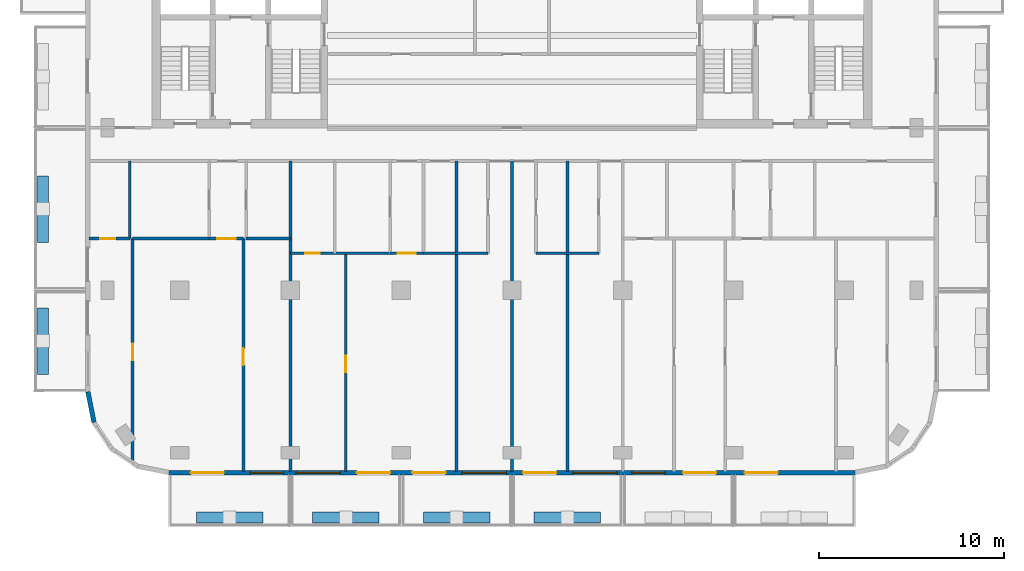
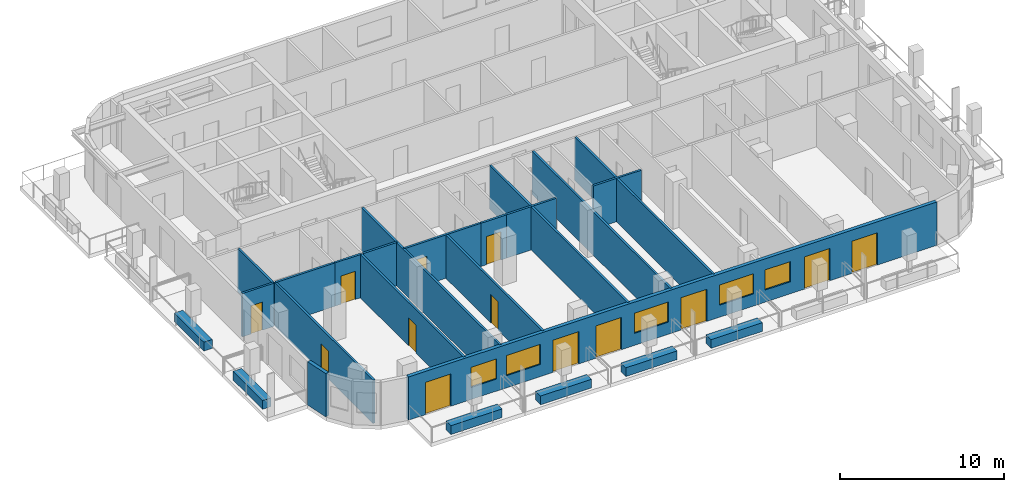
# One storey, part 2 of 11: 24 walls, 13 doors, 5 windows, 18 openings.
"""IFC4 building model written with IfcOpenShell, lengths in metres."""

import ifcopenshell
import ifcopenshell.guid

model = None  # the IFC model being written
_history = None  # IfcOwnerHistory: only IFC2X3 demands one
_inside = {}  # id of a spatial element -> (the spatial element, [elements in it])
_under = {}  # id of a project, library or spatial element -> (it, [spatial elements below it])
_declared = {}  # id of a project -> (the project, [libraries it declares])
_typed = {}  # id of a type object -> (the type object, [elements of that type])
_made_of = {}  # id of a material, layer set ... -> (it, [elements and type objects made of it])


def new_model(schema):
    """Start an empty IFC model of exactly this schema.

    Asked for "IFC4X3", IfcOpenShell would pick the latest addendum, in which some entities
    have other attributes; the version numbers below select the first issue.
    IFC2X3 requires an IfcOwnerHistory on every rooted entity: one is made here for all.
    """
    global model, _history
    if schema == "IFC4X3":
        model = ifcopenshell.file(schema_version=(4, 3, 0, 0))
    else:
        model = ifcopenshell.file(schema=schema)
    _inside.clear()
    _under.clear()
    _declared.clear()
    _typed.clear()
    _made_of.clear()
    _history = None
    if model.schema == "IFC2X3":
        org = make("IfcOrganization", Name="unknown")
        user = make(
            "IfcPersonAndOrganization",
            ThePerson=make("IfcPerson", FamilyName="unknown"),
            TheOrganization=org,
        )
        app = make(
            "IfcApplication",
            ApplicationDeveloper=org,
            Version="unknown",
            ApplicationFullName="unknown",
            ApplicationIdentifier="unknown",
        )
        _history = make(
            "IfcOwnerHistory",
            OwningUser=user,
            OwningApplication=app,
            ChangeAction="ADDED",
            CreationDate=0,
        )
    return model


def make(cls, **values):
    """One entity of the class cls with the attributes given. An attribute that is None is left unset."""
    return model.create_entity(
        cls, **{name: value for name, value in values.items() if value is not None}
    )


def rooted(cls, **values):
    """An entity with a GlobalId (a new one), such as an element, a storey or a relation."""
    return make(cls, GlobalId=ifcopenshell.guid.new(), OwnerHistory=_history, **values)


def si_unit(unit_type, name, prefix=None):
    """IfcSIUnit, for example si_unit("LENGTHUNIT", "METRE", prefix="MILLI")."""
    return make("IfcSIUnit", UnitType=unit_type, Prefix=prefix, Name=name)


def assignment(units):
    """IfcUnitAssignment: the units of a project."""
    return None if units is None else make("IfcUnitAssignment", Units=units)


def point(xyz):
    """IfcCartesianPoint."""
    return None if xyz is None else make("IfcCartesianPoint", Coordinates=xyz)


def direction(xyz):
    """IfcDirection."""
    return None if xyz is None else make("IfcDirection", DirectionRatios=xyz)


def frame(location, z_axis=None, x_axis=None):
    """IfcAxis2Placement3D, a coordinate frame: its origin and axes. An axis left out is left unset."""
    return make(
        "IfcAxis2Placement3D",
        Location=point(location),
        Axis=direction(z_axis),
        RefDirection=direction(x_axis),
    )


def frame_2d(location, x_axis=None):
    """IfcAxis2Placement2D, a coordinate frame in the plane: its origin and x axis."""
    return make(
        "IfcAxis2Placement2D", Location=point(location), RefDirection=direction(x_axis)
    )


def origin():
    """The frame at (0, 0, 0) with its axes left unset."""
    return frame((0.0, 0.0, 0.0))


def place(relative_to, where):
    """IfcLocalPlacement: puts the frame where relative to a parent placement (None: the world)."""
    return make(
        "IfcLocalPlacement", PlacementRelTo=relative_to, RelativePlacement=where
    )


def context(
    kind, dimensions, precision=None, world=None, true_north=None, identifier=None
):
    """IfcGeometricRepresentationContext, for example the 3D "Model" context."""
    return make(
        "IfcGeometricRepresentationContext",
        ContextIdentifier=identifier,
        ContextType=kind,
        CoordinateSpaceDimension=dimensions,
        Precision=precision,
        WorldCoordinateSystem=world,
        TrueNorth=true_north,
    )


def subcontext(parent, identifier, kind, view, scale=None):
    """IfcGeometricRepresentationSubContext, for example "Body" below "Model"."""
    return make(
        "IfcGeometricRepresentationSubContext",
        ContextIdentifier=identifier,
        ContextType=kind,
        ParentContext=parent,
        TargetScale=scale,
        TargetView=view,
    )


def project(units=None, contexts=None):
    """IfcProject with its units and contexts."""
    return rooted(
        "IfcProject",
        Name="project",
        RepresentationContexts=contexts,
        UnitsInContext=assignment(units),
    )


def spatial(cls, under=None, at=None, **own):
    """A site, building, storey or space (cls), placed at a placement, below another one or the project."""
    s = rooted(cls, ObjectPlacement=at, **own)
    if under is not None:
        _under.setdefault(under.id(), (under, []))[1].append(s)
    return s


def profile(cls, at=None, kind="AREA", **sizes):
    """A parametric profile (cls). Its sizes go by their IFC names, for example OverallWidth=200.0."""
    return make(cls, ProfileType=kind, Position=at, **sizes)


def rectangle(**sizes):
    """IfcRectangleProfileDef."""
    return profile("IfcRectangleProfileDef", **sizes)


def extrude(swept, where, along, depth):
    """IfcExtrudedAreaSolid: the profile swept, set in the frame where, extruded along a direction by depth."""
    return make(
        "IfcExtrudedAreaSolid",
        SweptArea=swept,
        Position=where,
        ExtrudedDirection=direction(along),
        Depth=depth,
    )


def shape(context_of_items, identifier, shape_type, items):
    """IfcShapeRepresentation: the items that make up one representation, for example the "Body"."""
    return make(
        "IfcShapeRepresentation",
        ContextOfItems=context_of_items,
        RepresentationIdentifier=identifier,
        RepresentationType=shape_type,
        Items=items,
    )


def material(Name=None, Category=None):
    """IfcMaterial."""
    return make("IfcMaterial", Name=Name, Category=Category)


def layer(
    of_material, thickness, ventilated=None, Name=None, Category=None, Priority=None
):
    """IfcMaterialLayer: one layer of a wall or slab, of a material (None: an air gap)."""
    return make(
        "IfcMaterialLayer",
        Material=of_material,
        LayerThickness=thickness,
        IsVentilated=ventilated,
        Name=Name,
        Category=Category,
        Priority=Priority,
    )


def layer_set(layers, Name=None):
    """IfcMaterialLayerSet."""
    return make("IfcMaterialLayerSet", MaterialLayers=layers, LayerSetName=Name)


def made_of(thing, what):
    """Note that an element or type object is made of a material, layer set ...; save() writes the relation."""
    if what is not None:
        _made_of.setdefault(what.id(), (what, []))[1].append(thing)
    return thing


def type_object(cls, material=None, **own):
    """A type object (cls), such as IfcWallType, which elements share."""
    return made_of(rooted(cls, **own), material)


def element(
    cls,
    number,
    at=None,
    inside=None,
    cuts=None,
    type_object=None,
    material=None,
    context=None,
    identifier="Body",
    shape_type=None,
    held_by="IfcProductDefinitionShape",
    body=None,
    shapes=None,
    **own,
):
    """One element of the class cls, such as IfcWall. Its Tag is "e" and its number.

    at: its placement. inside: the storey or other place that contains it. cuts: it is an
    opening in that element (IfcRelVoidsElement). A single representation is given by context,
    identifier, shape_type and body (its items); several are given by shapes. held_by: the class
    of the entity that holds the representations. save() writes the other relations.
    """
    e = rooted(cls, Tag="e%d" % number, ObjectPlacement=at, **own)
    if body is not None:
        shapes = [shape(context, identifier, shape_type, body)]
    if shapes is not None:
        e.Representation = make(held_by, Representations=shapes)
    if inside is not None:
        _inside.setdefault(inside.id(), (inside, []))[1].append(e)
    if cuts is not None:
        rooted(
            "IfcRelVoidsElement", RelatingBuildingElement=cuts, RelatedOpeningElement=e
        )
    if type_object is not None:
        _typed.setdefault(type_object.id(), (type_object, []))[1].append(e)
    return made_of(e, material)


def fill(opening, filler):
    """IfcRelFillsElement: the door or window that sits in an opening."""
    return rooted(
        "IfcRelFillsElement",
        RelatingOpeningElement=opening,
        RelatedBuildingElement=filler,
    )


def aggregate(whole, parts):
    """IfcRelAggregates: a whole, such as a stair, and the parts it consists of."""
    return rooted("IfcRelAggregates", RelatingObject=whole, RelatedObjects=parts)


def save(model, path):
    """Write the relations noted so far, then the file.

    IfcRelAggregates (storeys below a building ...), IfcRelContainedInSpatialStructure (elements
    in a storey), IfcRelDefinesByType, IfcRelAssociatesMaterial and IfcRelDeclares: one each for
    every whole, place, type object, material and project.
    """
    for whole, parts in _under.values():
        aggregate(whole, parts)
    for where, things in _inside.values():
        rooted(
            "IfcRelContainedInSpatialStructure",
            RelatedElements=things,
            RelatingStructure=where,
        )
    for kind, things in _typed.values():
        rooted("IfcRelDefinesByType", RelatedObjects=things, RelatingType=kind)
    for what, things in _made_of.values():
        rooted("IfcRelAssociatesMaterial", RelatedObjects=things, RelatingMaterial=what)
    for by, libraries in _declared.values():
        rooted("IfcRelDeclares", RelatingContext=by, RelatedDefinitions=libraries)
    model.write(path)


model = new_model("IFC4")

# Units and contexts
model_context = context("Model", 3, precision=1e-05, world=origin(), true_north=direction((0.0, 1.0)))
body_context = subcontext(model_context, "Body", "Model", "MODEL_VIEW")
ifc_project = project(units=[si_unit("LENGTHUNIT", "METRE"), si_unit("AREAUNIT", "SQUARE_METRE"), si_unit("VOLUMEUNIT", "CUBIC_METRE"), si_unit("PLANEANGLEUNIT", "RADIAN"), si_unit("MASSUNIT", "GRAM", prefix="KILO")], contexts=[model_context])

# Site, building, storey
site_placement = place(None, origin())
site = spatial("IfcSite", under=ifc_project, at=site_placement, CompositionType="ELEMENT")
building_placement = place(site_placement, origin())
building = spatial("IfcBuilding", under=site, at=building_placement, Name="Torana Hotel and Residences", CompositionType="ELEMENT")
storey_placement = place(building_placement, frame((0.0, 0.0, 291.10009765625)))
storey = spatial("IfcBuildingStorey", under=building, at=storey_placement, Name="L77", CompositionType="ELEMENT", Elevation=291.10009765625)

# Wall
ifc_material_1 = material(Name="Black aluminium composite panel", Category="aluminium")
ifc_layer_1 = layer(ifc_material_1, 0.00390625, Name="Cladding", Category="cladding")
ifc_material_2 = material(Name="Ventilated air cavity")
ifc_layer_2 = layer(ifc_material_2, 0.0400390625, Name="Ventilated cavity", Category="cavity")
ifc_material_3 = material(Name="Mineral wool insulation")
ifc_layer_3 = layer(ifc_material_3, 0.090087890625, Name="Insulation", Category="insulation")
ifc_material_4 = material(Name="Steel S280GD", Category="steel")
ifc_layer_4 = layer(ifc_material_4, 0.092041015625, Name="Steel stud frame", Category="structure")
ifc_material_5 = material(Name="Fire rated plasterboard")
ifc_layer_5 = layer(ifc_material_5, 0.011962890625, Name="Inner board", Category="finish")
ifc_layer_6 = layer(ifc_material_5, 0.011962890625, Name="Second board", Category="finish")
ifc_layer_set_1 = layer_set([ifc_layer_1, ifc_layer_2, ifc_layer_3, ifc_layer_4, ifc_layer_5, ifc_layer_6], Name="EW1 EXTERNAL WALL BLACK METAL CLAD 250")
wall_type_1 = type_object("IfcWallType", Name="EW1 EXTERNAL WALL BLACK METAL CLAD 250", PredefinedType="SOLIDWALL", material=ifc_layer_set_1)
wall_1_placement = place(storey_placement, frame((-22.97265625, -29.2998046875, 0.0), z_axis=(0.0, 0.0, 1.0), x_axis=(0.19513878023, -0.980775640221, 0.0)))
element("IfcWall", 1, at=wall_1_placement, inside=storey, type_object=wall_type_1, Name="External wall L77 e0.10", PredefinedType="SOLIDWALL", context=body_context, shape_type="SweptSolid", body=[
    extrude(rectangle(XDim=1.681396484375, YDim=0.25, at=frame_2d((0.8408203125, 0.0))), origin(), (0.0, 0.0, 1.0), 3.219970703125),
])

# Wall, openings, doors, windows
wall_2_placement = place(storey_placement, frame((-18.575439453125, -33.675048828125, 0.0), z_axis=(0.0, 0.0, 1.0), x_axis=(1.0, 0.0, 0.0)))
wall_2 = element("IfcWall", 2, at=wall_2_placement, inside=storey, type_object=wall_type_1, Name="External wall L77 e0.14", PredefinedType="SOLIDWALL", context=body_context, shape_type="SweptSolid", body=[
    extrude(rectangle(XDim=37.15087890625, YDim=0.25, at=frame_2d((18.575439453125, 0.0))), origin(), (0.0, 0.0, 1.0), 3.219970703125),
])
opening_1_placement = place(wall_2_placement, frame((1.17529296875, 0.0, 0.0)))
opening_1 = element("IfcOpeningElement", 3, at=opening_1_placement, cuts=wall_2, Name="Opening L77-E01", PredefinedType="OPENING", context=body_context, shape_type="SweptSolid", body=[
    extrude(rectangle(XDim=1.800048828125, YDim=2.39990234375, at=frame_2d((0.89990234375, 1.199951171875))), frame((0.0, 0.135009765625, 0.0), z_axis=(0.0, -1.0, 0.0), x_axis=(1.0, 0.0, 0.0)), (0.0, 0.0, 1.0), 0.27001953125),
])
opening_2_placement = place(wall_2_placement, frame((4.400390625, 0.0, 0.89990234375)))
opening_2 = element("IfcOpeningElement", 4, at=opening_2_placement, cuts=wall_2, Name="Opening W4", PredefinedType="OPENING", context=body_context, shape_type="SweptSolid", body=[
    extrude(rectangle(XDim=1.800048828125, YDim=1.5, at=frame_2d((0.89990234375, 0.75))), frame((0.0, 0.135009765625, 0.0), z_axis=(0.0, -1.0, 0.0), x_axis=(1.0, 0.0, 0.0)), (0.0, 0.0, 1.0), 0.27001953125),
])
opening_3_placement = place(wall_2_placement, frame((6.87548828125, 0.0, 0.89990234375)))
opening_3 = element("IfcOpeningElement", 5, at=opening_3_placement, cuts=wall_2, Name="Opening W3", PredefinedType="OPENING", context=body_context, shape_type="SweptSolid", body=[
    extrude(rectangle(XDim=2.39990234375, YDim=1.5, at=frame_2d((1.199951171875, 0.75))), frame((0.0, 0.135009765625, 0.0), z_axis=(0.0, -1.0, 0.0), x_axis=(1.0, 0.0, 0.0)), (0.0, 0.0, 1.0), 0.27001953125),
])
opening_4_placement = place(wall_2_placement, frame((10.17529296875, 0.0, 0.0)))
opening_4 = element("IfcOpeningElement", 6, at=opening_4_placement, cuts=wall_2, Name="Opening L77-E02", PredefinedType="OPENING", context=body_context, shape_type="SweptSolid", body=[
    extrude(rectangle(XDim=1.800048828125, YDim=2.39990234375, at=frame_2d((0.89990234375, 1.199951171875))), frame((0.0, 0.135009765625, 0.0), z_axis=(0.0, -1.0, 0.0), x_axis=(1.0, 0.0, 0.0)), (0.0, 0.0, 1.0), 0.27001953125),
])
opening_5_placement = place(wall_2_placement, frame((13.17529296875, 0.0, 0.0)))
opening_5 = element("IfcOpeningElement", 7, at=opening_5_placement, cuts=wall_2, Name="Opening L77-E03", PredefinedType="OPENING", context=body_context, shape_type="SweptSolid", body=[
    extrude(rectangle(XDim=1.800048828125, YDim=2.39990234375, at=frame_2d((0.89990234375, 1.199951171875))), frame((0.0, 0.135009765625, 0.0), z_axis=(0.0, -1.0, 0.0), x_axis=(1.0, 0.0, 0.0)), (0.0, 0.0, 1.0), 0.27001953125),
])
opening_6_placement = place(wall_2_placement, frame((15.87548828125, 0.0, 0.89990234375)))
opening_6 = element("IfcOpeningElement", 8, at=opening_6_placement, cuts=wall_2, Name="Opening W3", PredefinedType="OPENING", context=body_context, shape_type="SweptSolid", body=[
    extrude(rectangle(XDim=2.39990234375, YDim=1.5, at=frame_2d((1.199951171875, 0.75))), frame((0.0, 0.135009765625, 0.0), z_axis=(0.0, -1.0, 0.0), x_axis=(1.0, 0.0, 0.0)), (0.0, 0.0, 1.0), 0.27001953125),
])
opening_7_placement = place(wall_2_placement, frame((19.17529296875, 0.0, 0.0)))
opening_7 = element("IfcOpeningElement", 9, at=opening_7_placement, cuts=wall_2, Name="Opening L77-E04", PredefinedType="OPENING", context=body_context, shape_type="SweptSolid", body=[
    extrude(rectangle(XDim=1.800048828125, YDim=2.39990234375, at=frame_2d((0.89990234375, 1.199951171875))), frame((0.0, 0.135009765625, 0.0), z_axis=(0.0, -1.0, 0.0), x_axis=(1.0, 0.0, 0.0)), (0.0, 0.0, 1.0), 0.27001953125),
])
opening_8_placement = place(wall_2_placement, frame((21.87548828125, 0.0, 0.89990234375)))
opening_8 = element("IfcOpeningElement", 10, at=opening_8_placement, cuts=wall_2, Name="Opening W3", PredefinedType="OPENING", context=body_context, shape_type="SweptSolid", body=[
    extrude(rectangle(XDim=2.39990234375, YDim=1.5, at=frame_2d((1.199951171875, 0.75))), frame((0.0, 0.135009765625, 0.0), z_axis=(0.0, -1.0, 0.0), x_axis=(1.0, 0.0, 0.0)), (0.0, 0.0, 1.0), 0.27001953125),
])
opening_9_placement = place(wall_2_placement, frame((25.0634765625, 0.0, 0.89990234375)))
opening_9 = element("IfcOpeningElement", 11, at=opening_9_placement, cuts=wall_2, Name="Opening W4", PredefinedType="OPENING", context=body_context, shape_type="SweptSolid", body=[
    extrude(rectangle(XDim=1.800048828125, YDim=1.5, at=frame_2d((0.89990234375, 0.75))), frame((0.0, 0.135009765625, 0.0), z_axis=(0.0, -1.0, 0.0), x_axis=(1.0, 0.0, 0.0)), (0.0, 0.0, 1.0), 0.27001953125),
])
opening_10_placement = place(wall_2_placement, frame((27.83837890625, 0.0, 0.0)))
opening_10 = element("IfcOpeningElement", 12, at=opening_10_placement, cuts=wall_2, Name="Opening L77-E05", PredefinedType="OPENING", context=body_context, shape_type="SweptSolid", body=[
    extrude(rectangle(XDim=1.800048828125, YDim=2.39990234375, at=frame_2d((0.89990234375, 1.199951171875))), frame((0.0, 0.135009765625, 0.0), z_axis=(0.0, -1.0, 0.0), x_axis=(1.0, 0.0, 0.0)), (0.0, 0.0, 1.0), 0.27001953125),
])
opening_11_placement = place(wall_2_placement, frame((31.17529296875, 0.0, 0.0)))
opening_11 = element("IfcOpeningElement", 13, at=opening_11_placement, cuts=wall_2, Name="Opening L77-E06", PredefinedType="OPENING", context=body_context, shape_type="SweptSolid", body=[
    extrude(rectangle(XDim=1.800048828125, YDim=2.39990234375, at=frame_2d((0.89990234375, 1.199951171875))), frame((0.0, 0.135009765625, 0.0), z_axis=(0.0, -1.0, 0.0), x_axis=(1.0, 0.0, 0.0)), (0.0, 0.0, 1.0), 0.27001953125),
])
ifc_material_6 = material(Name="Dark glass in black aluminium frame", Category="aluminium")
door_type_1 = type_object("IfcDoorType", Name="DB1 BALCONY DOOR 1800x2400", OperationType="DOUBLE_DOOR_SINGLE_SWING", PredefinedType="DOOR", material=ifc_material_6)
door_1_placement = place(opening_1_placement, origin())
door_1 = element("IfcDoor", 14, at=door_1_placement, inside=storey, type_object=door_type_1, Name="Balcony door L77", OperationType="DOUBLE_DOOR_SINGLE_SWING", OverallHeight=2.39990234375, OverallWidth=1.800048828125, PredefinedType="DOOR", context=body_context, shape_type="SweptSolid", body=[
    extrude(rectangle(XDim=1.800048828125, YDim=2.39990234375, at=frame_2d((0.89990234375, 1.199951171875))), frame((0.0, 0.02490234375, 0.0), z_axis=(0.0, -1.0, 0.0), x_axis=(1.0, 0.0, 0.0)), (0.0, 0.0, 1.0), 0.050048828125),
])
fill(opening_1, door_1)
door_2_placement = place(opening_4_placement, origin())
door_2 = element("IfcDoor", 15, at=door_2_placement, inside=storey, type_object=door_type_1, Name="Balcony door L77", OperationType="DOUBLE_DOOR_SINGLE_SWING", OverallHeight=2.39990234375, OverallWidth=1.800048828125, PredefinedType="DOOR", context=body_context, shape_type="SweptSolid", body=[
    extrude(rectangle(XDim=1.800048828125, YDim=2.39990234375, at=frame_2d((0.89990234375, 1.199951171875))), frame((0.0, 0.02490234375, 0.0), z_axis=(0.0, -1.0, 0.0), x_axis=(1.0, 0.0, 0.0)), (0.0, 0.0, 1.0), 0.050048828125),
])
fill(opening_4, door_2)
door_3_placement = place(opening_5_placement, origin())
door_3 = element("IfcDoor", 16, at=door_3_placement, inside=storey, type_object=door_type_1, Name="Balcony door L77", OperationType="DOUBLE_DOOR_SINGLE_SWING", OverallHeight=2.39990234375, OverallWidth=1.800048828125, PredefinedType="DOOR", context=body_context, shape_type="SweptSolid", body=[
    extrude(rectangle(XDim=1.800048828125, YDim=2.39990234375, at=frame_2d((0.89990234375, 1.199951171875))), frame((0.0, 0.02490234375, 0.0), z_axis=(0.0, -1.0, 0.0), x_axis=(1.0, 0.0, 0.0)), (0.0, 0.0, 1.0), 0.050048828125),
])
fill(opening_5, door_3)
door_4_placement = place(opening_7_placement, origin())
door_4 = element("IfcDoor", 17, at=door_4_placement, inside=storey, type_object=door_type_1, Name="Balcony door L77", OperationType="DOUBLE_DOOR_SINGLE_SWING", OverallHeight=2.39990234375, OverallWidth=1.800048828125, PredefinedType="DOOR", context=body_context, shape_type="SweptSolid", body=[
    extrude(rectangle(XDim=1.800048828125, YDim=2.39990234375, at=frame_2d((0.89990234375, 1.199951171875))), frame((0.0, 0.02490234375, 0.0), z_axis=(0.0, -1.0, 0.0), x_axis=(1.0, 0.0, 0.0)), (0.0, 0.0, 1.0), 0.050048828125),
])
fill(opening_7, door_4)
door_5_placement = place(opening_10_placement, origin())
door_5 = element("IfcDoor", 18, at=door_5_placement, inside=storey, type_object=door_type_1, Name="Balcony door L77", OperationType="DOUBLE_DOOR_SINGLE_SWING", OverallHeight=2.39990234375, OverallWidth=1.800048828125, PredefinedType="DOOR", context=body_context, shape_type="SweptSolid", body=[
    extrude(rectangle(XDim=1.800048828125, YDim=2.39990234375, at=frame_2d((0.89990234375, 1.199951171875))), frame((0.0, 0.02490234375, 0.0), z_axis=(0.0, -1.0, 0.0), x_axis=(1.0, 0.0, 0.0)), (0.0, 0.0, 1.0), 0.050048828125),
])
fill(opening_10, door_5)
door_6_placement = place(opening_11_placement, origin())
door_6 = element("IfcDoor", 19, at=door_6_placement, inside=storey, type_object=door_type_1, Name="Balcony door L77", OperationType="DOUBLE_DOOR_SINGLE_SWING", OverallHeight=2.39990234375, OverallWidth=1.800048828125, PredefinedType="DOOR", context=body_context, shape_type="SweptSolid", body=[
    extrude(rectangle(XDim=1.800048828125, YDim=2.39990234375, at=frame_2d((0.89990234375, 1.199951171875))), frame((0.0, 0.02490234375, 0.0), z_axis=(0.0, -1.0, 0.0), x_axis=(1.0, 0.0, 0.0)), (0.0, 0.0, 1.0), 0.050048828125),
])
fill(opening_11, door_6)
ifc_material_7 = material(Name="Dark glass in black aluminium frame", Category="aluminium")
window_type_1 = type_object("IfcWindowType", Name="W3 RESIDENCE WINDOW 2400x1500", PartitioningType="SINGLE_PANEL", PredefinedType="WINDOW", material=ifc_material_7)
window_1_placement = place(opening_3_placement, origin())
window_1 = element("IfcWindow", 20, at=window_1_placement, inside=storey, type_object=window_type_1, Name="Window L77", OverallHeight=1.5, OverallWidth=2.39990234375, PartitioningType="SINGLE_PANEL", PredefinedType="WINDOW", context=body_context, shape_type="SweptSolid", body=[
    extrude(rectangle(XDim=2.39990234375, YDim=1.5, at=frame_2d((1.199951171875, 0.75))), frame((0.0, 0.030029296875, 0.0), z_axis=(0.0, -1.0, 0.0), x_axis=(1.0, 0.0, 0.0)), (0.0, 0.0, 1.0), 0.06005859375),
])
fill(opening_3, window_1)
window_2_placement = place(opening_6_placement, origin())
window_2 = element("IfcWindow", 21, at=window_2_placement, inside=storey, type_object=window_type_1, Name="Window L77", OverallHeight=1.5, OverallWidth=2.39990234375, PartitioningType="SINGLE_PANEL", PredefinedType="WINDOW", context=body_context, shape_type="SweptSolid", body=[
    extrude(rectangle(XDim=2.39990234375, YDim=1.5, at=frame_2d((1.199951171875, 0.75))), frame((0.0, 0.030029296875, 0.0), z_axis=(0.0, -1.0, 0.0), x_axis=(1.0, 0.0, 0.0)), (0.0, 0.0, 1.0), 0.06005859375),
])
fill(opening_6, window_2)
window_3_placement = place(opening_8_placement, origin())
window_3 = element("IfcWindow", 22, at=window_3_placement, inside=storey, type_object=window_type_1, Name="Window L77", OverallHeight=1.5, OverallWidth=2.39990234375, PartitioningType="SINGLE_PANEL", PredefinedType="WINDOW", context=body_context, shape_type="SweptSolid", body=[
    extrude(rectangle(XDim=2.39990234375, YDim=1.5, at=frame_2d((1.199951171875, 0.75))), frame((0.0, 0.030029296875, 0.0), z_axis=(0.0, -1.0, 0.0), x_axis=(1.0, 0.0, 0.0)), (0.0, 0.0, 1.0), 0.06005859375),
])
fill(opening_8, window_3)
ifc_material_8 = material(Name="Dark glass in black aluminium frame", Category="aluminium")
window_type_2 = type_object("IfcWindowType", Name="W4 RESIDENCE WINDOW NARROW 1800x1500", PartitioningType="SINGLE_PANEL", PredefinedType="WINDOW", material=ifc_material_8)
window_4_placement = place(opening_2_placement, origin())
window_4 = element("IfcWindow", 23, at=window_4_placement, inside=storey, type_object=window_type_2, Name="Window L77", OverallHeight=1.5, OverallWidth=1.800048828125, PartitioningType="SINGLE_PANEL", PredefinedType="WINDOW", context=body_context, shape_type="SweptSolid", body=[
    extrude(rectangle(XDim=1.800048828125, YDim=1.5, at=frame_2d((0.89990234375, 0.75))), frame((0.0, 0.030029296875, 0.0), z_axis=(0.0, -1.0, 0.0), x_axis=(1.0, 0.0, 0.0)), (0.0, 0.0, 1.0), 0.06005859375),
])
fill(opening_2, window_4)
window_5_placement = place(opening_9_placement, origin())
window_5 = element("IfcWindow", 24, at=window_5_placement, inside=storey, type_object=window_type_2, Name="Window L77", OverallHeight=1.5, OverallWidth=1.800048828125, PartitioningType="SINGLE_PANEL", PredefinedType="WINDOW", context=body_context, shape_type="SweptSolid", body=[
    extrude(rectangle(XDim=1.800048828125, YDim=1.5, at=frame_2d((0.89990234375, 0.75))), frame((0.0, 0.030029296875, 0.0), z_axis=(0.0, -1.0, 0.0), x_axis=(1.0, 0.0, 0.0)), (0.0, 0.0, 1.0), 0.06005859375),
])
fill(opening_9, window_5)

# Wall, opening, door
ifc_material_9 = material(Name="Gypsum plaster")
ifc_layer_7 = layer(ifc_material_9, 0.014892578125, Name="Plaster", Category="finish")
ifc_material_10 = material(Name="Concrete blockwork", Category="masonry")
ifc_layer_8 = layer(ifc_material_10, 0.1201171875, Name="Blockwork", Category="structure")
ifc_layer_9 = layer(ifc_material_9, 0.014892578125, Name="Plaster", Category="finish")
ifc_layer_set_2 = layer_set([ifc_layer_7, ifc_layer_8, ifc_layer_9], Name="FIRE PARTITION 150 BLOCKWORK")
wall_type_2 = type_object("IfcWallType", Name="FIRE PARTITION 150 BLOCKWORK", PredefinedType="PARTITIONING", material=ifc_layer_set_2)
wall_3_placement = place(storey_placement, frame((-6.60009765625, -21.800048828125, 0.0), z_axis=(0.0, 0.0, 1.0), x_axis=(1.0, 0.0, 0.0)))
wall_3 = element("IfcWall", 25, at=wall_3_placement, inside=storey, type_object=wall_type_2, Name="Partition L77", PredefinedType="PARTITIONING", context=body_context, shape_type="SweptSolid", body=[
    extrude(rectangle(XDim=1.800048828125, YDim=0.14990234375, at=frame_2d((0.89990234375, 0.0))), origin(), (0.0, 0.0, 1.0), 3.219970703125),
])
opening_12_placement = place(wall_3_placement, frame((0.39990234375, 0.0, 0.0)))
opening_12 = element("IfcOpeningElement", 26, at=opening_12_placement, cuts=wall_3, Name="Opening L77-40", PredefinedType="OPENING", context=body_context, shape_type="SweptSolid", body=[
    extrude(rectangle(XDim=1.0, YDim=2.10009765625, at=frame_2d((0.5, 1.050048828125))), frame((0.0, 0.0849609375, 0.0), z_axis=(0.0, -1.0, 0.0), x_axis=(1.0, 0.0, 0.0)), (0.0, 0.0, 1.0), 0.169921875),
])
ifc_material_11 = material(Name="Steel S235", Category="steel")
door_type_2 = type_object("IfcDoorType", Name="ENTRY FIRE DOOR D6 1000x2100", OperationType="SINGLE_SWING_LEFT", PredefinedType="DOOR", material=ifc_material_11)
door_7_placement = place(opening_12_placement, frame((0.5, 0.0, 0.0), z_axis=(0.0, 0.0, 1.0), x_axis=(-1.0, 0.0, 0.0)))
door_7 = element("IfcDoor", 27, at=door_7_placement, inside=storey, type_object=door_type_2, Name="Door L77", OperationType="SINGLE_SWING_LEFT", OverallHeight=2.10009765625, OverallWidth=1.0, PredefinedType="DOOR", context=body_context, shape_type="SweptSolid", body=[
    extrude(rectangle(XDim=1.0, YDim=2.10009765625, at=frame_2d((0.0, 1.050048828125))), frame((0.0, -0.02490234375, 0.0), z_axis=(0.0, 1.0, 0.0), x_axis=(-1.0, 0.0, 0.0)), (0.0, 0.0, 1.0), 0.050048828125),
])
fill(opening_12, door_7)

wall_4_placement = place(storey_placement, frame((-16.39990234375, -21.0, 0.0), z_axis=(0.0, 0.0, 1.0), x_axis=(1.0, 0.0, 0.0)))
wall_4 = element("IfcWall", 28, at=wall_4_placement, inside=storey, type_object=wall_type_2, Name="Partition L77", PredefinedType="PARTITIONING", context=body_context, shape_type="SweptSolid", body=[
    extrude(rectangle(XDim=1.849853515625, YDim=0.14990234375, at=frame_2d((0.9248046875, 0.0))), origin(), (0.0, 0.0, 1.0), 3.219970703125),
])
opening_13_placement = place(wall_4_placement, frame((0.425048828125, 0.0, 0.0)))
opening_13 = element("IfcOpeningElement", 29, at=opening_13_placement, cuts=wall_4, Name="Opening L77-47", PredefinedType="OPENING", context=body_context, shape_type="SweptSolid", body=[
    extrude(rectangle(XDim=1.0, YDim=2.10009765625, at=frame_2d((0.5, 1.050048828125))), frame((0.0, 0.0849609375, 0.0), z_axis=(0.0, -1.0, 0.0), x_axis=(1.0, 0.0, 0.0)), (0.0, 0.0, 1.0), 0.169921875),
])
door_8_placement = place(opening_13_placement, frame((0.5, 0.0, 0.0), z_axis=(0.0, 0.0, 1.0), x_axis=(-1.0, 0.0, 0.0)))
door_8 = element("IfcDoor", 30, at=door_8_placement, inside=storey, type_object=door_type_2, Name="Door L77", OperationType="SINGLE_SWING_RIGHT", OverallHeight=2.10009765625, OverallWidth=1.0, PredefinedType="DOOR", context=body_context, shape_type="SweptSolid", body=[
    extrude(rectangle(XDim=1.0, YDim=2.10009765625, at=frame_2d((0.0, 1.050048828125))), frame((0.0, -0.02490234375, 0.0), z_axis=(0.0, 1.0, 0.0), x_axis=(-1.0, 0.0, 0.0)), (0.0, 0.0, 1.0), 0.050048828125),
])
fill(opening_13, door_8)

# Walls
ifc_material_12 = material(Name="Gypsum plasterboard")
ifc_layer_10 = layer(ifc_material_12, 0.012451171875, Name="Plasterboard", Category="finish")
ifc_layer_11 = layer(ifc_material_12, 0.012451171875, Name="Plasterboard", Category="finish")
ifc_layer_12 = layer(ifc_material_4, 0.10009765625, Name="Steel studs with mineral wool", Category="insulation")
ifc_layer_13 = layer(ifc_material_12, 0.012451171875, Name="Plasterboard", Category="finish")
ifc_layer_14 = layer(ifc_material_12, 0.012451171875, Name="Plasterboard", Category="finish")
ifc_layer_set_3 = layer_set([ifc_layer_10, ifc_layer_11, ifc_layer_12, ifc_layer_13, ifc_layer_14], Name="PARTITION 150 PLASTERBOARD")
wall_type_3 = type_object("IfcWallType", Name="PARTITION 150 PLASTERBOARD", PredefinedType="PARTITIONING", material=ifc_layer_set_3)
for number, where, z_axis, x_axis, name in (
    (31, (3.0, -33.6201171875, 0.0), (0.0, 0.0, 1.0), (0.0, 1.0, 0.0), "Partition L77"),
    (32, (0.0, -33.6201171875, 0.0), (0.0, 0.0, 1.0), (0.0, 1.0, 0.0), "Partition L77"),
    (33, (-3.0, -33.6201171875, 0.0), (0.0, 0.0, 1.0), (0.0, 1.0, 0.0), "Partition L77"),
):
    element("IfcWall", number, at=place(storey_placement, frame(where, z_axis=z_axis, x_axis=x_axis)), inside=storey, type_object=wall_type_3, Name=name, PredefinedType="PARTITIONING", context=body_context, shape_type="SweptSolid", body=[
        extrude(rectangle(XDim=16.820068359375, YDim=0.14990234375, at=frame_2d((8.41015625, 0.0))), origin(), (0.0, 0.0, 1.0), 3.219970703125),
    ])

# Wall, opening, door
wall_5_placement = place(storey_placement, frame((-9.0, -33.6201171875, 0.0), z_axis=(0.0, 0.0, 1.0), x_axis=(0.0, 1.0, 0.0)))
wall_5 = element("IfcWall", 34, at=wall_5_placement, inside=storey, type_object=wall_type_3, Name="Partition L77", PredefinedType="PARTITIONING", context=body_context, shape_type="SweptSolid", body=[
    extrude(rectangle(XDim=11.820068359375, YDim=0.14990234375, at=frame_2d((5.91015625, 0.0))), origin(), (0.0, 0.0, 1.0), 3.219970703125),
])
opening_14_placement = place(wall_5_placement, frame((5.3701171875, 0.0, 0.0)))
opening_14 = element("IfcOpeningElement", 35, at=opening_14_placement, cuts=wall_5, Name="Opening L77-41", PredefinedType="OPENING", context=body_context, shape_type="SweptSolid", body=[
    extrude(rectangle(XDim=0.89990234375, YDim=2.10009765625, at=frame_2d((0.449951171875, 1.050048828125))), frame((0.0, 0.0849609375, 0.0), z_axis=(0.0, -1.0, 0.0), x_axis=(1.0, 0.0, 0.0)), (0.0, 0.0, 1.0), 0.169921875),
])
ifc_material_13 = material(Name="Timber door, oiled ash", Category="wood")
door_type_3 = type_object("IfcDoorType", Name="ROOM DOOR D7 900x2100", OperationType="SINGLE_SWING_LEFT", PredefinedType="DOOR", material=ifc_material_13)
door_9_placement = place(opening_14_placement, origin())
door_9 = element("IfcDoor", 36, at=door_9_placement, inside=storey, type_object=door_type_3, Name="Door L77", OperationType="SINGLE_SWING_RIGHT", OverallHeight=2.10009765625, OverallWidth=0.89990234375, PredefinedType="DOOR", context=body_context, shape_type="SweptSolid", body=[
    extrude(rectangle(XDim=0.89990234375, YDim=2.10009765625, at=frame_2d((0.449951171875, 1.050048828125))), frame((0.0, 0.02490234375, 0.0), z_axis=(0.0, -1.0, 0.0), x_axis=(1.0, 0.0, 0.0)), (0.0, 0.0, 1.0), 0.050048828125),
])
fill(opening_14, door_9)

# Wall
wall_6_placement = place(storey_placement, frame((-12.0, -33.6201171875, 0.0), z_axis=(0.0, 0.0, 1.0), x_axis=(0.0, 1.0, 0.0)))
element("IfcWall", 37, at=wall_6_placement, inside=storey, type_object=wall_type_3, Name="Partition L77", PredefinedType="PARTITIONING", context=body_context, shape_type="SweptSolid", body=[
    extrude(rectangle(XDim=16.820068359375, YDim=0.14990234375, at=frame_2d((8.41015625, 0.0))), origin(), (0.0, 0.0, 1.0), 3.219970703125),
])

# Wall, opening, door
wall_7_placement = place(storey_placement, frame((-14.550048828125, -33.6201171875, 0.0), z_axis=(0.0, 0.0, 1.0), x_axis=(0.0, 1.0, 0.0)))
wall_7 = element("IfcWall", 38, at=wall_7_placement, inside=storey, type_object=wall_type_3, Name="Partition L77", PredefinedType="PARTITIONING", context=body_context, shape_type="SweptSolid", body=[
    extrude(rectangle(XDim=12.6201171875, YDim=0.14990234375, at=frame_2d((6.31005859375, 0.0))), origin(), (0.0, 0.0, 1.0), 3.219970703125),
])
opening_15_placement = place(wall_7_placement, frame((5.77001953125, 0.0, 0.0)))
opening_15 = element("IfcOpeningElement", 39, at=opening_15_placement, cuts=wall_7, Name="Opening L77-49", PredefinedType="OPENING", context=body_context, shape_type="SweptSolid", body=[
    extrude(rectangle(XDim=0.89990234375, YDim=2.10009765625, at=frame_2d((0.449951171875, 1.050048828125))), frame((0.0, 0.0849609375, 0.0), z_axis=(0.0, -1.0, 0.0), x_axis=(1.0, 0.0, 0.0)), (0.0, 0.0, 1.0), 0.169921875),
])
door_10_placement = place(opening_15_placement, origin())
door_10 = element("IfcDoor", 40, at=door_10_placement, inside=storey, type_object=door_type_3, Name="Door L77", OperationType="SINGLE_SWING_RIGHT", OverallHeight=2.10009765625, OverallWidth=0.89990234375, PredefinedType="DOOR", context=body_context, shape_type="SweptSolid", body=[
    extrude(rectangle(XDim=0.89990234375, YDim=2.10009765625, at=frame_2d((0.449951171875, 1.050048828125))), frame((0.0, 0.02490234375, 0.0), z_axis=(0.0, -1.0, 0.0), x_axis=(1.0, 0.0, 0.0)), (0.0, 0.0, 1.0), 0.050048828125),
])
fill(opening_15, door_10)

wall_8_placement = place(storey_placement, frame((-20.550048828125, -33.0166015625, 0.0), z_axis=(0.0, 0.0, 1.0), x_axis=(0.0, 1.0, 0.0)))
wall_8 = element("IfcWall", 41, at=wall_8_placement, inside=storey, type_object=wall_type_3, Name="Partition L77", PredefinedType="PARTITIONING", context=body_context, shape_type="SweptSolid", body=[
    extrude(rectangle(XDim=12.0166015625, YDim=0.14990234375, at=frame_2d((6.00830078125, 0.0))), origin(), (0.0, 0.0, 1.0), 3.219970703125),
])
opening_16_placement = place(wall_8_placement, frame((5.431640625, 0.0, 0.0)))
opening_16 = element("IfcOpeningElement", 42, at=opening_16_placement, cuts=wall_8, Name="Opening L77-50", PredefinedType="OPENING", context=body_context, shape_type="SweptSolid", body=[
    extrude(rectangle(XDim=0.89990234375, YDim=2.10009765625, at=frame_2d((0.449951171875, 1.050048828125))), frame((0.0, 0.0849609375, 0.0), z_axis=(0.0, -1.0, 0.0), x_axis=(1.0, 0.0, 0.0)), (0.0, 0.0, 1.0), 0.169921875),
])
door_11_placement = place(opening_16_placement, origin())
door_11 = element("IfcDoor", 43, at=door_11_placement, inside=storey, type_object=door_type_3, Name="Door L77", OperationType="SINGLE_SWING_RIGHT", OverallHeight=2.10009765625, OverallWidth=0.89990234375, PredefinedType="DOOR", context=body_context, shape_type="SweptSolid", body=[
    extrude(rectangle(XDim=0.89990234375, YDim=2.10009765625, at=frame_2d((0.449951171875, 1.050048828125))), frame((0.0, 0.02490234375, 0.0), z_axis=(0.0, -1.0, 0.0), x_axis=(1.0, 0.0, 0.0)), (0.0, 0.0, 1.0), 0.050048828125),
])
fill(opening_16, door_11)

# Wall
wall_9_placement = place(storey_placement, frame((-20.699951171875, -21.0, 0.0), z_axis=(0.0, 0.0, 1.0), x_axis=(0.0, 1.0, 0.0)))
element("IfcWall", 44, at=wall_9_placement, inside=storey, type_object=wall_type_3, Name="Partition L77", PredefinedType="PARTITIONING", context=body_context, shape_type="SweptSolid", body=[
    extrude(rectangle(XDim=4.199951171875, YDim=0.14990234375, at=frame_2d((2.10009765625, 0.0))), origin(), (0.0, 0.0, 1.0), 3.219970703125),
])

# Wall, opening, door
wall_10_placement = place(storey_placement, frame((-12.0, -21.800048828125, 0.0), z_axis=(0.0, 0.0, 1.0), x_axis=(1.0, 0.0, 0.0)))
wall_10 = element("IfcWall", 45, at=wall_10_placement, inside=storey, type_object=wall_type_3, Name="Partition L77", PredefinedType="PARTITIONING", context=body_context, shape_type="SweptSolid", body=[
    extrude(rectangle(XDim=5.39990234375, YDim=0.14990234375, at=frame_2d((2.699951171875, 0.0))), origin(), (0.0, 0.0, 1.0), 3.219970703125),
])
opening_17_placement = place(wall_10_placement, frame((0.800048828125, 0.0, 0.0)))
opening_17 = element("IfcOpeningElement", 46, at=opening_17_placement, cuts=wall_10, Name="Opening L77-38", PredefinedType="OPENING", context=body_context, shape_type="SweptSolid", body=[
    extrude(rectangle(XDim=0.800048828125, YDim=2.10009765625, at=frame_2d((0.39990234375, 1.050048828125))), frame((0.0, 0.0849609375, 0.0), z_axis=(0.0, -1.0, 0.0), x_axis=(1.0, 0.0, 0.0)), (0.0, 0.0, 1.0), 0.169921875),
])
ifc_material_14 = material(Name="Timber door, painted", Category="wood")
door_type_4 = type_object("IfcDoorType", Name="BATH DOOR D13 800x2100", OperationType="SINGLE_SWING_LEFT", PredefinedType="DOOR", material=ifc_material_14)
door_12_placement = place(opening_17_placement, origin())
door_12 = element("IfcDoor", 47, at=door_12_placement, inside=storey, type_object=door_type_4, Name="Door L77", OperationType="SINGLE_SWING_RIGHT", OverallHeight=2.10009765625, OverallWidth=0.800048828125, PredefinedType="DOOR", context=body_context, shape_type="SweptSolid", body=[
    extrude(rectangle(XDim=0.800048828125, YDim=2.10009765625, at=frame_2d((0.39990234375, 1.050048828125))), frame((0.0, 0.02490234375, 0.0), z_axis=(0.0, -1.0, 0.0), x_axis=(1.0, 0.0, 0.0)), (0.0, 0.0, 1.0), 0.050048828125),
])
fill(opening_17, door_12)

# Walls
wall_11_placement = place(storey_placement, frame((-4.800048828125, -21.800048828125, 0.0), z_axis=(0.0, 0.0, 1.0), x_axis=(1.0, 0.0, 0.0)))
element("IfcWall", 48, at=wall_11_placement, inside=storey, type_object=wall_type_3, Name="Partition L77", PredefinedType="PARTITIONING", context=body_context, shape_type="SweptSolid", body=[
    extrude(rectangle(XDim=3.5, YDim=0.14990234375, at=frame_2d((1.75, 0.0))), origin(), (0.0, 0.0, 1.0), 3.219970703125),
])
wall_12_placement = place(storey_placement, frame((1.300048828125, -21.800048828125, 0.0), z_axis=(0.0, 0.0, 1.0), x_axis=(1.0, 0.0, 0.0)))
element("IfcWall", 49, at=wall_12_placement, inside=storey, type_object=wall_type_3, Name="Partition L77", PredefinedType="PARTITIONING", context=body_context, shape_type="SweptSolid", body=[
    extrude(rectangle(XDim=3.39990234375, YDim=0.14990234375, at=frame_2d((1.699951171875, 0.0))), origin(), (0.0, 0.0, 1.0), 3.219970703125),
])

# Wall, opening, door
wall_13_placement = place(storey_placement, frame((-22.919921875, -21.0, 0.0), z_axis=(0.0, 0.0, 1.0), x_axis=(1.0, 0.0, 0.0)))
wall_13 = element("IfcWall", 50, at=wall_13_placement, inside=storey, type_object=wall_type_3, Name="Partition L77", PredefinedType="PARTITIONING", context=body_context, shape_type="SweptSolid", body=[
    extrude(rectangle(XDim=2.219970703125, YDim=0.14990234375, at=frame_2d((1.10986328125, 0.0))), origin(), (0.0, 0.0, 1.0), 3.219970703125),
])
opening_18_placement = place(wall_13_placement, frame((0.6201171875, 0.0, 0.0)))
opening_18 = element("IfcOpeningElement", 51, at=opening_18_placement, cuts=wall_13, Name="Opening L77-48", PredefinedType="OPENING", context=body_context, shape_type="SweptSolid", body=[
    extrude(rectangle(XDim=0.800048828125, YDim=2.10009765625, at=frame_2d((0.39990234375, 1.050048828125))), frame((0.0, 0.0849609375, 0.0), z_axis=(0.0, -1.0, 0.0), x_axis=(1.0, 0.0, 0.0)), (0.0, 0.0, 1.0), 0.169921875),
])
door_13_placement = place(opening_18_placement, origin())
door_13 = element("IfcDoor", 52, at=door_13_placement, inside=storey, type_object=door_type_4, Name="Door L77", OperationType="SINGLE_SWING_RIGHT", OverallHeight=2.10009765625, OverallWidth=0.800048828125, PredefinedType="DOOR", context=body_context, shape_type="SweptSolid", body=[
    extrude(rectangle(XDim=0.800048828125, YDim=2.10009765625, at=frame_2d((0.39990234375, 1.050048828125))), frame((0.0, 0.02490234375, 0.0), z_axis=(0.0, -1.0, 0.0), x_axis=(1.0, 0.0, 0.0)), (0.0, 0.0, 1.0), 0.050048828125),
])
fill(opening_18, door_13)

# Walls
wall_14_placement = place(storey_placement, frame((-20.550048828125, -21.0, 0.0), z_axis=(0.0, 0.0, 1.0), x_axis=(1.0, 0.0, 0.0)))
element("IfcWall", 53, at=wall_14_placement, inside=storey, type_object=wall_type_3, Name="Partition L77", PredefinedType="PARTITIONING", context=body_context, shape_type="SweptSolid", body=[
    extrude(rectangle(XDim=4.150146484375, YDim=0.14990234375, at=frame_2d((2.0751953125, 0.0))), origin(), (0.0, 0.0, 1.0), 3.219970703125),
])
wall_15_placement = place(storey_placement, frame((-14.39990234375, -21.0, 0.0), z_axis=(0.0, 0.0, 1.0), x_axis=(1.0, 0.0, 0.0)))
element("IfcWall", 54, at=wall_15_placement, inside=storey, type_object=wall_type_3, Name="Partition L77", PredefinedType="PARTITIONING", context=body_context, shape_type="SweptSolid", body=[
    extrude(rectangle(XDim=2.39990234375, YDim=0.14990234375, at=frame_2d((1.199951171875, 0.0))), origin(), (0.0, 0.0, 1.0), 3.219970703125),
])
ifc_material_15 = material(Name="Concrete C40/50 precast", Category="concrete")
ifc_layer_15 = layer(ifc_material_15, 0.10009765625, Name="Planter shell", Category="structure")
ifc_material_16 = material(Name="Root resistant membrane")
ifc_layer_16 = layer(ifc_material_16, 0.00390625, Name="Waterproofing membrane", Category="membrane")
ifc_material_17 = material(Name="Drainage board with filter fleece")
ifc_layer_17 = layer(ifc_material_17, 0.02001953125, Name="Drainage board", Category="drainage")
ifc_material_18 = material(Name="Growing medium")
ifc_layer_18 = layer(ifc_material_18, 0.47607421875, Name="Planting substrate", Category="soil")
ifc_layer_set_4 = layer_set([ifc_layer_15, ifc_layer_16, ifc_layer_17, ifc_layer_18], Name="PL1 BALCONY PLANTER 600")
wall_type_4 = type_object("IfcWallType", Name="PL1 BALCONY PLANTER 600", PredefinedType="USERDEFINED", material=ifc_layer_set_4)
for number, where, z_axis, x_axis, name in (
    (55, (-13.5, -36.10009765625, 0.0), (0.0, 0.0, 1.0), (-1.0, 0.0, 0.0), "Planter 01"),
    (56, (-7.199951171875, -36.10009765625, 0.0), (0.0, 0.0, 1.0), (-1.0, 0.0, 0.0), "Planter 02"),
    (57, (-1.199951171875, -36.10009765625, 0.0), (0.0, 0.0, 1.0), (-1.0, 0.0, 0.0), "Planter 03"),
    (58, (4.800048828125, -36.10009765625, 0.0), (0.0, 0.0, 1.0), (-1.0, 0.0, 0.0), "Planter 04"),
    (59, (-25.39990234375, -28.35009765625, 0.0), (0.0, 0.0, 1.0), (0.0, 1.0, 0.0), "Planter 07"),
):
    element("IfcWall", number, at=place(storey_placement, frame(where, z_axis=z_axis, x_axis=x_axis)), inside=storey, type_object=wall_type_4, Name=name, ObjectType="PLANTER", PredefinedType="USERDEFINED", context=body_context, shape_type="SweptSolid", body=[
        extrude(rectangle(XDim=3.60009765625, YDim=0.60009765625, at=frame_2d((1.800048828125, 0.0))), origin(), (0.0, 0.0, 1.0), 0.64990234375),
    ])
wall_16_placement = place(storey_placement, frame((-25.39990234375, -21.199951171875, 0.0), z_axis=(0.0, 0.0, 1.0), x_axis=(0.0, 1.0, 0.0)))
element("IfcWall", 60, at=wall_16_placement, inside=storey, type_object=wall_type_4, Name="Planter 08", ObjectType="PLANTER", PredefinedType="USERDEFINED", context=body_context, shape_type="SweptSolid", body=[
    extrude(rectangle(XDim=3.599853515625, YDim=0.60009765625, at=frame_2d((1.7998046875, 0.0))), origin(), (0.0, 0.0, 1.0), 0.64990234375),
])

save(model, "model.ifc")
